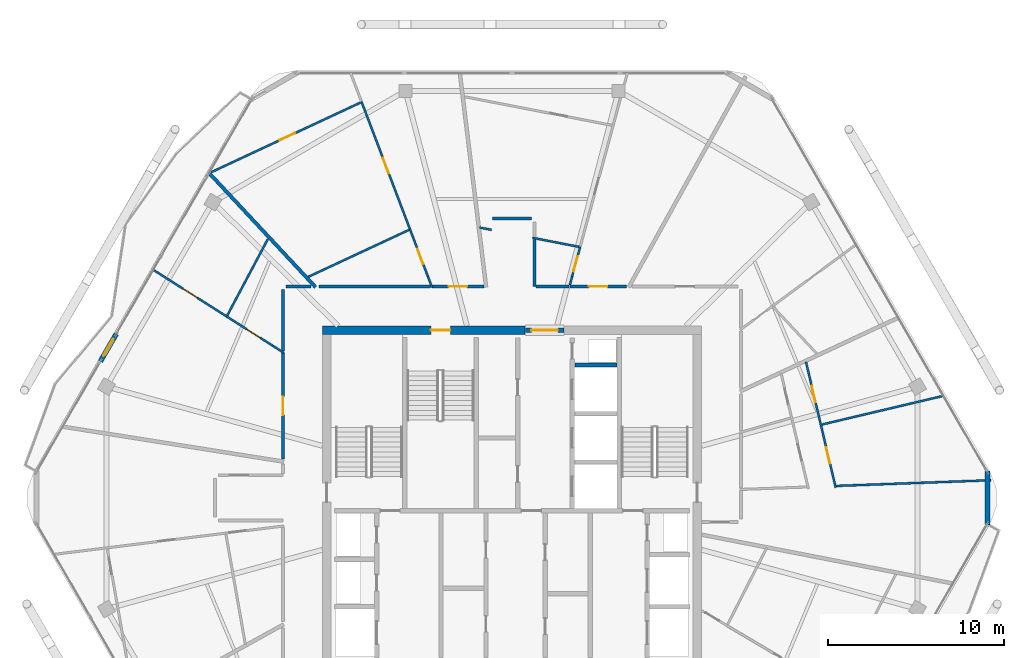
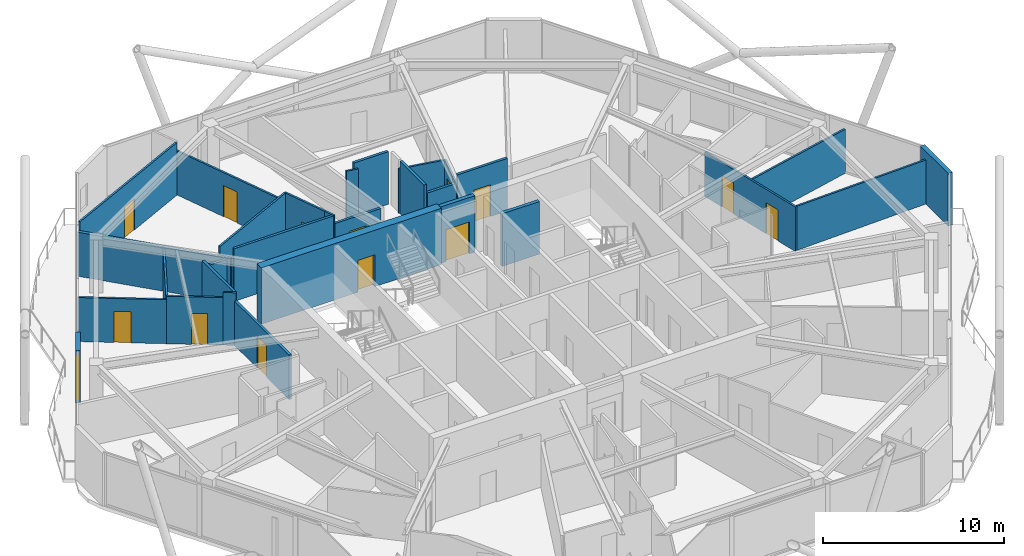
# One storey, part 20 of 24: 31 walls, 14 doors, 14 openings.
"""IFC4 building model written with IfcOpenShell, lengths in metres."""

from ifc_helpers import new_model, si_unit, direction, frame, frame_2d, origin, place, context, subcontext, project, spatial, rectangle, extrude, material, layer, layer_set, type_object, element, fill, save


model = new_model("IFC4")

# Units and contexts
model_context = context("Model", 3, precision=1e-05, world=origin(), true_north=direction((0.0, 1.0)))
body_context = subcontext(model_context, "Body", "Model", "MODEL_VIEW")
ifc_project = project(units=[si_unit("LENGTHUNIT", "METRE"), si_unit("AREAUNIT", "SQUARE_METRE"), si_unit("VOLUMEUNIT", "CUBIC_METRE"), si_unit("PLANEANGLEUNIT", "RADIAN"), si_unit("MASSUNIT", "GRAM", prefix="KILO")], contexts=[model_context])

# Site, building, storey
site_placement = place(None, origin())
site = spatial("IfcSite", under=ifc_project, at=site_placement, CompositionType="ELEMENT")
building_placement = place(site_placement, origin())
building = spatial("IfcBuilding", under=site, at=building_placement, Name="Zuhravey Tower", CompositionType="ELEMENT")
storey_placement = place(building_placement, frame((0.0, 0.0, 338.60009765625)))
storey = spatial("IfcBuildingStorey", under=building, at=storey_placement, Name="L86", CompositionType="ELEMENT", Elevation=338.60009765625)

# Wall, opening, door
ifc_material_1 = material(Name="Concrete C50/60", Category="concrete")
ifc_layer_1 = layer(ifc_material_1, 0.5)
ifc_layer_set_1 = layer_set([ifc_layer_1], Name="Concrete C50/60")
wall_type_1 = type_object("IfcWallType", Name="Core Shear Wall 500", PredefinedType="SHEAR", material=ifc_layer_set_1)
wall_1_placement = place(storey_placement, frame((36.75, 41.5, 0.0), z_axis=(0.0, 0.0, 1.0), x_axis=(-1.0, 0.0, 0.0)))
wall_1 = element("IfcWall", 1, at=wall_1_placement, inside=storey, type_object=wall_type_1, Name="L86 North-West Core Shear Wall CW50", PredefinedType="SHEAR", context=body_context, shape_type="SweptSolid", body=[
    extrude(rectangle(XDim=11.5, YDim=0.5, at=frame_2d((5.75, 0.0))), origin(), (0.0, 0.0, 1.0), 3.7998046875),
])
opening_1_placement = place(wall_1_placement, frame((4.25, 0.0, 0.0)))
opening_1 = element("IfcOpeningElement", 2, at=opening_1_placement, cuts=wall_1, Name="Opening STD1", PredefinedType="OPENING", context=body_context, shape_type="SweptSolid", body=[
    extrude(rectangle(XDim=1.10009765625, YDim=2.14990234375, at=frame_2d((0.550048828125, 1.074951171875))), frame((0.0, 0.261962890625, 0.0), z_axis=(0.0, -1.0, 0.0), x_axis=(1.0, 0.0, 0.0)), (0.0, 0.0, 1.0), 0.52392578125),
])
ifc_material_2 = material(Name="Galvanised fire-rated steel leaf", Category="steel")
door_type_1 = type_object("IfcDoorType", Name="Protected Stair Fire Door 1100x2150", OperationType="NOTDEFINED", PredefinedType="USERDEFINED", material=ifc_material_2)
door_1_placement = place(opening_1_placement, origin())
door_1 = element("IfcDoor", 3, at=door_1_placement, inside=storey, type_object=door_type_1, Name="L86 Stair ST3 Door", ObjectType="EXITDOOR", OperationType="SINGLE_SWING_LEFT", OverallHeight=2.14990234375, OverallWidth=1.10009765625, PredefinedType="USERDEFINED", context=body_context, shape_type="SweptSolid", body=[
    extrude(rectangle(XDim=1.10009765625, YDim=2.14990234375, at=frame_2d((0.550048828125, 1.074951171875))), frame((0.0, 0.02490234375, 0.0), z_axis=(0.0, -1.0, 0.0), x_axis=(1.0, 0.0, 0.0)), (0.0, 0.0, 1.0), 0.050048828125),
])
fill(opening_1, door_1)

ifc_material_3 = material(Name="Gypsum fire-rated stud partition")
ifc_layer_2 = layer(ifc_material_3, 0.159912109375)
ifc_layer_set_2 = layer_set([ifc_layer_2], Name="Gypsum fire-rated stud partition")
wall_type_2 = type_object("IfcWallType", Name="Corridor Fire Partition 160", PredefinedType="PARTITIONING", material=ifc_layer_set_2)
wall_2_placement = place(storey_placement, frame((23.02001953125, 40.226318359375, 0.0), z_axis=(0.0, 0.0, 1.0), x_axis=(0.0, -1.0, 0.0)))
wall_2 = element("IfcWall", 4, at=wall_2_placement, inside=storey, type_object=wall_type_2, Name="L86 IW16 Partition 023", PredefinedType="PARTITIONING", context=body_context, shape_type="SweptSolid", body=[
    extrude(rectangle(XDim=6.033935546875, YDim=0.159912109375, at=frame_2d((3.01708984375, 0.0))), origin(), (0.0, 0.0, 1.0), 3.0),
])
opening_2_placement = place(wall_2_placement, frame((2.491943359375, 0.0, 0.0)))
opening_2 = element("IfcOpeningElement", 5, at=opening_2_placement, cuts=wall_2, Name="Opening APD1", PredefinedType="OPENING", context=body_context, shape_type="SweptSolid", body=[
    extrude(rectangle(XDim=1.050048828125, YDim=2.14990234375, at=frame_2d((0.52490234375, 1.074951171875))), frame((0.0, 0.092041015625, 0.0), z_axis=(0.0, -1.0, 0.0), x_axis=(1.0, 0.0, 0.0)), (0.0, 0.0, 1.0), 0.183837890625),
])
ifc_material_4 = material(Name="Solid-core oak fire-rated leaf")
door_type_2 = type_object("IfcDoorType", Name="Apartment Entrance Fire Door 1050x2150", OperationType="NOTDEFINED", PredefinedType="DOOR", material=ifc_material_4)
door_2_placement = place(opening_2_placement, frame((1.050048828125, 0.0, 0.0), z_axis=(0.0, 0.0, 1.0), x_axis=(-1.0, 0.0, 0.0)))
door_2 = element("IfcDoor", 6, at=door_2_placement, inside=storey, type_object=door_type_2, Name="L86 Door 023.1", OperationType="SINGLE_SWING_LEFT", OverallHeight=2.14990234375, OverallWidth=1.050048828125, PredefinedType="DOOR", context=body_context, shape_type="SweptSolid", body=[
    extrude(rectangle(XDim=1.050048828125, YDim=2.14990234375, at=frame_2d((0.52490234375, 1.074951171875))), frame((0.0, 0.02490234375, 0.0), z_axis=(0.0, -1.0, 0.0), x_axis=(1.0, 0.0, 0.0)), (0.0, 0.0, 1.0), 0.050048828125),
])
fill(opening_2, door_2)

wall_3_placement = place(storey_placement, frame((42.48193359375, 43.97998046875, 0.0), z_axis=(0.0, 0.0, 1.0), x_axis=(-1.0, 0.0, 0.0)))
wall_3 = element("IfcWall", 7, at=wall_3_placement, inside=storey, type_object=wall_type_2, Name="L86 IW16 Partition 054", PredefinedType="PARTITIONING", context=body_context, shape_type="SweptSolid", body=[
    extrude(rectangle(XDim=3.206298828125, YDim=0.159912109375, at=frame_2d((1.60302734375, 0.0))), origin(), (0.0, 0.0, 1.0), 3.5498046875),
])
opening_3_placement = place(wall_3_placement, frame((1.078125, 0.0, 0.0)))
opening_3 = element("IfcOpeningElement", 8, at=opening_3_placement, cuts=wall_3, Name="Opening APD1", PredefinedType="OPENING", context=body_context, shape_type="SweptSolid", body=[
    extrude(rectangle(XDim=1.050048828125, YDim=2.14990234375, at=frame_2d((0.52490234375, 1.074951171875))), frame((0.0, 0.092041015625, 0.0), z_axis=(0.0, -1.0, 0.0), x_axis=(1.0, 0.0, 0.0)), (0.0, 0.0, 1.0), 0.183837890625),
])
door_3_placement = place(opening_3_placement, frame((1.050048828125, 0.0, 0.0), z_axis=(0.0, 0.0, 1.0), x_axis=(-1.0, 0.0, 0.0)))
door_3 = element("IfcDoor", 9, at=door_3_placement, inside=storey, type_object=door_type_2, Name="L86 Door 054.1", OperationType="SINGLE_SWING_LEFT", OverallHeight=2.14990234375, OverallWidth=1.050048828125, PredefinedType="DOOR", context=body_context, shape_type="SweptSolid", body=[
    extrude(rectangle(XDim=1.050048828125, YDim=2.14990234375, at=frame_2d((0.52490234375, 1.074951171875))), frame((0.0, 0.02490234375, 0.0), z_axis=(0.0, -1.0, 0.0), x_axis=(1.0, 0.0, 0.0)), (0.0, 0.0, 1.0), 0.050048828125),
])
fill(opening_3, door_3)

wall_4_placement = place(storey_placement, frame((34.402587890625, 43.97998046875, 0.0), z_axis=(0.0, 0.0, 1.0), x_axis=(-1.0, 0.0, 0.0)))
wall_4 = element("IfcWall", 10, at=wall_4_placement, inside=storey, type_object=wall_type_2, Name="L86 IW16 Partition 058", PredefinedType="PARTITIONING", context=body_context, shape_type="SweptSolid", body=[
    extrude(rectangle(XDim=2.931884765625, YDim=0.159912109375, at=frame_2d((1.4658203125, 0.0))), origin(), (0.0, 0.0, 1.0), 3.0),
])
opening_4_placement = place(wall_4_placement, frame((0.94091796875, 0.0, 0.0)))
opening_4 = element("IfcOpeningElement", 11, at=opening_4_placement, cuts=wall_4, Name="Opening APD1", PredefinedType="OPENING", context=body_context, shape_type="SweptSolid", body=[
    extrude(rectangle(XDim=1.050048828125, YDim=2.14990234375, at=frame_2d((0.52490234375, 1.074951171875))), frame((0.0, 0.092041015625, 0.0), z_axis=(0.0, -1.0, 0.0), x_axis=(1.0, 0.0, 0.0)), (0.0, 0.0, 1.0), 0.183837890625),
])
door_4_placement = place(opening_4_placement, frame((1.050048828125, 0.0, 0.0), z_axis=(0.0, 0.0, 1.0), x_axis=(-1.0, 0.0, 0.0)))
door_4 = element("IfcDoor", 12, at=door_4_placement, inside=storey, type_object=door_type_2, Name="L86 Door 058.1", OperationType="SINGLE_SWING_LEFT", OverallHeight=2.14990234375, OverallWidth=1.050048828125, PredefinedType="DOOR", context=body_context, shape_type="SweptSolid", body=[
    extrude(rectangle(XDim=1.050048828125, YDim=2.14990234375, at=frame_2d((0.52490234375, 1.074951171875))), frame((0.0, 0.02490234375, 0.0), z_axis=(0.0, -1.0, 0.0), x_axis=(1.0, 0.0, 0.0)), (0.0, 0.0, 1.0), 0.050048828125),
])
fill(opening_4, door_4)

# Walls
wall_5_placement = place(storey_placement, frame((23.02001953125, 43.800048828125, 0.0), z_axis=(0.0, 0.0, 1.0), x_axis=(0.0, -1.0, 0.0)))
element("IfcWall", 13, at=wall_5_placement, inside=storey, type_object=wall_type_2, Name="L86 IW16 Partition 104", PredefinedType="PARTITIONING", context=body_context, shape_type="SweptSolid", body=[
    extrude(rectangle(XDim=3.46923828125, YDim=0.159912109375, at=frame_2d((1.734619140625, 0.0))), origin(), (0.0, 0.0, 1.0), 3.5498046875),
])
wall_6_placement = place(storey_placement, frame((24.603759765625, 43.97998046875, 0.0), z_axis=(0.0, 0.0, 1.0), x_axis=(-1.0, 0.0, 0.0)))
element("IfcWall", 14, at=wall_6_placement, inside=storey, type_object=wall_type_2, Name="L86 IW16 Partition 105", PredefinedType="PARTITIONING", context=body_context, shape_type="SweptSolid", body=[
    extrude(rectangle(XDim=1.40380859375, YDim=0.159912109375, at=frame_2d((0.701904296875, 0.0))), origin(), (0.0, 0.0, 1.0), 3.0),
])
wall_7_placement = place(storey_placement, frame((37.280029296875, 43.97998046875, 0.0), z_axis=(0.0, 0.0, 1.0), x_axis=(0.0, 1.0, 0.0)))
element("IfcWall", 15, at=wall_7_placement, inside=storey, type_object=wall_type_2, Name="L86 IW16 Partition 123", PredefinedType="PARTITIONING", context=body_context, shape_type="SweptSolid", body=[
    extrude(rectangle(XDim=2.668212890625, YDim=0.159912109375, at=frame_2d((1.333984375, 0.0))), origin(), (0.0, 0.0, 1.0), 3.5498046875),
])
wall_8_placement = place(storey_placement, frame((39.234130859375, 43.97998046875, 0.0), z_axis=(0.0, 0.0, 1.0), x_axis=(-1.0, 0.0, 0.0)))
element("IfcWall", 16, at=wall_8_placement, inside=storey, type_object=wall_type_2, Name="L86 IW16 Partition 124", PredefinedType="PARTITIONING", context=body_context, shape_type="SweptSolid", body=[
    extrude(rectangle(XDim=1.8662109375, YDim=0.159912109375, at=frame_2d((0.93310546875, 0.0))), origin(), (0.0, 0.0, 1.0), 3.0),
])
wall_9_placement = place(storey_placement, frame((37.10009765625, 47.830078125, 0.0), z_axis=(0.0, 0.0, 1.0), x_axis=(-1.0, 0.0, 0.0)))
element("IfcWall", 17, at=wall_9_placement, inside=storey, type_object=wall_type_2, Name="L86 IW16 Partition 125", PredefinedType="PARTITIONING", context=body_context, shape_type="SweptSolid", body=[
    extrude(rectangle(XDim=2.2001953125, YDim=0.159912109375, at=frame_2d((1.10009765625, 0.0))), origin(), (0.0, 0.0, 1.0), 3.5498046875),
])
wall_10_placement = place(storey_placement, frame((31.37646484375, 43.97998046875, 0.0), z_axis=(0.0, 0.0, 1.0), x_axis=(-1.0, 0.0, 0.0)))
element("IfcWall", 18, at=wall_10_placement, inside=storey, type_object=wall_type_2, Name="L86 IW16 Partition 127", PredefinedType="PARTITIONING", context=body_context, shape_type="SweptSolid", body=[
    extrude(rectangle(XDim=6.326904296875, YDim=0.159912109375, at=frame_2d((3.16357421875, 0.0))), origin(), (0.0, 0.0, 1.0), 3.5498046875),
])

# Wall, opening, door
ifc_material_5 = material(Name="Precast concrete C40/50", Category="concrete")
ifc_layer_3 = layer(ifc_material_5, 0.280029296875)
ifc_layer_set_3 = layer_set([ifc_layer_3], Name="Precast concrete C40/50")
wall_type_3 = type_object("IfcWallType", Name="Crown Architectural Wall 280", PredefinedType="SOLIDWALL", material=ifc_layer_set_3)
wall_11_placement = place(storey_placement, frame((12.6708984375, 39.74072265625, 0.0), z_axis=(0.0, 0.0, 1.0), x_axis=(0.499982180423, 0.866035691677, 0.0)))
wall_11 = element("IfcWall", 19, at=wall_11_placement, inside=storey, type_object=wall_type_3, Name="L86 Face 3 Facade Pier EW28-1", PredefinedType="SOLIDWALL", context=body_context, shape_type="SweptSolid", body=[
    extrude(rectangle(XDim=1.7900390625, YDim=0.280029296875, at=frame_2d((0.89501953125, 0.0))), origin(), (0.0, 0.0, 1.0), 3.5498046875),
])
opening_5_placement = place(wall_11_placement, frame((0.344970703125, 0.0, 0.0)))
opening_5 = element("IfcOpeningElement", 20, at=opening_5_placement, cuts=wall_11, Name="Opening BLD1", PredefinedType="OPENING", context=body_context, shape_type="SweptSolid", body=[
    extrude(rectangle(XDim=1.10009765625, YDim=2.199951171875, at=frame_2d((0.550048828125, 1.10009765625))), frame((0.0, 0.152099609375, 0.0), z_axis=(0.0, -1.0, 0.0), x_axis=(1.0, 0.0, 0.0)), (0.0, 0.0, 1.0), 0.303955078125),
])
ifc_material_6 = material(Name="Thermally broken aluminium and low-E glass", Category="aluminium")
door_type_3 = type_object("IfcDoorType", Name="Balcony & Sky-Tray Glazed Door 1100x2200", OperationType="NOTDEFINED", PredefinedType="DOOR", material=ifc_material_6)
door_5_placement = place(opening_5_placement, frame((1.10009765625, 0.0, 0.0), z_axis=(0.0, 0.0, 1.0), x_axis=(-1.0, 0.0, 0.0)))
door_5 = element("IfcDoor", 21, at=door_5_placement, inside=storey, type_object=door_type_3, Name="L86 Face 3 Wave Balcony Door", OperationType="SINGLE_SWING_RIGHT", OverallHeight=2.199951171875, OverallWidth=1.10009765625, PredefinedType="DOOR", context=body_context, shape_type="SweptSolid", body=[
    extrude(rectangle(XDim=1.10009765625, YDim=2.199951171875, at=frame_2d((0.550048828125, 1.10009765625))), frame((0.0, 0.02490234375, 0.0), z_axis=(0.0, -1.0, 0.0), x_axis=(1.0, 0.0, 0.0)), (0.0, 0.0, 1.0), 0.050048828125),
])
fill(opening_5, door_5)

# Wall
wall_12_placement = place(storey_placement, frame((62.968505859375, 33.532470703125, 0.0), z_axis=(0.0, 0.0, 1.0), x_axis=(0.0, -1.0, 0.0)))
element("IfcWall", 22, at=wall_12_placement, inside=storey, type_object=wall_type_3, Name="L86 Rounded Corner Closure Wall EW28-12", PredefinedType="SOLIDWALL", context=body_context, shape_type="SweptSolid", body=[
    extrude(rectangle(XDim=3.06494140625, YDim=0.280029296875, at=frame_2d((1.532470703125, 0.0))), origin(), (0.0, 0.0, 1.0), 3.5498046875),
])

# Wall, opening, door
ifc_layer_4 = layer(ifc_material_1, 0.25)
ifc_layer_set_4 = layer_set([ifc_layer_4], Name="Concrete C50/60")
wall_type_4 = type_object("IfcWallType", Name="Firefighting Shaft & Stair Wall 250", PredefinedType="SOLIDWALL", material=ifc_layer_set_4)
wall_13_placement = place(storey_placement, frame((36.760009765625, 41.5, 0.0), z_axis=(0.0, 0.0, 1.0), x_axis=(1.0, 0.0, 0.0)))
wall_13 = element("IfcWall", 23, at=wall_13_placement, inside=storey, type_object=wall_type_4, Name="L86 FW25 Shaft Wall 002", PredefinedType="SOLIDWALL", context=body_context, shape_type="SweptSolid", body=[
    extrude(rectangle(XDim=2.179931640625, YDim=0.25, at=frame_2d((1.08984375, 0.0))), origin(), (0.0, 0.0, 1.0), 3.7998046875),
])
opening_6_placement = place(wall_13_placement, frame((0.340087890625, 0.0, 0.0)))
opening_6 = element("IfcOpeningElement", 24, at=opening_6_placement, cuts=wall_13, Name="Opening FFD1", PredefinedType="OPENING", context=body_context, shape_type="SweptSolid", body=[
    extrude(rectangle(XDim=1.5, YDim=2.14990234375, at=frame_2d((0.75, 1.074951171875))), frame((0.0, 0.136962890625, 0.0), z_axis=(0.0, -1.0, 0.0), x_axis=(1.0, 0.0, 0.0)), (0.0, 0.0, 1.0), 0.27392578125),
])
door_type_4 = type_object("IfcDoorType", Name="Firefighting Lobby Double Door 1500x2150", OperationType="DOUBLE_DOOR_SINGLE_SWING", PredefinedType="DOOR", material=ifc_material_2)
door_6_placement = place(opening_6_placement, origin())
door_6 = element("IfcDoor", 25, at=door_6_placement, inside=storey, type_object=door_type_4, Name="L86 North Lift Lobby Exit Door", OperationType="DOUBLE_DOOR_SINGLE_SWING", OverallHeight=2.14990234375, OverallWidth=1.5, PredefinedType="DOOR", context=body_context, shape_type="SweptSolid", body=[
    extrude(rectangle(XDim=1.5, YDim=2.14990234375, at=frame_2d((0.75, 1.074951171875))), frame((0.0, 0.02490234375, 0.0), z_axis=(0.0, -1.0, 0.0), x_axis=(1.0, 0.0, 0.0)), (0.0, 0.0, 1.0), 0.050048828125),
])
fill(opening_6, door_6)

# Walls
ifc_material_7 = material(Name="Gypsum double-stud party assembly")
ifc_layer_5 = layer(ifc_material_7, 0.199951171875)
ifc_layer_set_5 = layer_set([ifc_layer_5], Name="Gypsum double-stud party assembly")
wall_type_5 = type_object("IfcWallType", Name="Inter-Tenancy Party Wall 200", PredefinedType="PARTITIONING", material=ifc_layer_set_5)
wall_14_placement = place(storey_placement, frame((24.86572265625, 43.93994140625, 0.0), z_axis=(0.0, 0.0, 1.0), x_axis=(-0.68199474611, 0.731357071667, 0.0)))
element("IfcWall", 26, at=wall_14_placement, inside=storey, type_object=wall_type_5, Name="L86 IW20 Partition 063", PredefinedType="PARTITIONING", context=body_context, shape_type="SweptSolid", body=[
    extrude(rectangle(XDim=8.84814453125, YDim=0.199951171875, at=frame_2d((4.424072265625, 0.0))), origin(), (0.0, 0.0, 1.0), 2.969970703125),
])
ifc_material_8 = material(Name="Gypsum acoustic stud assembly")
ifc_layer_6 = layer(ifc_material_8, 0.219970703125)
ifc_layer_set_6 = layer_set([ifc_layer_6], Name="Gypsum acoustic stud assembly")
wall_type_6 = type_object("IfcWallType", Name="School Acoustic Compartment Wall 220", PredefinedType="PARTITIONING", material=ifc_layer_set_6)
wall_15_placement = place(storey_placement, frame((39.55810546875, 39.52490234375, 0.0), z_axis=(0.0, 0.0, 1.0), x_axis=(1.0, 0.0, 0.0)))
element("IfcWall", 27, at=wall_15_placement, inside=storey, type_object=wall_type_6, Name="L86 IW22 Partition 062", PredefinedType="PARTITIONING", context=body_context, shape_type="SweptSolid", body=[
    extrude(rectangle(XDim=2.3837890625, YDim=0.219970703125, at=frame_2d((1.19189453125, 0.0))), origin(), (0.0, 0.0, 1.0), 3.5498046875),
])

# Wall, opening, door
ifc_material_9 = material(Name="Gypsum metal-stud partition")
ifc_layer_7 = layer(ifc_material_9, 0.1201171875)
ifc_layer_set_7 = layer_set([ifc_layer_7], Name="Gypsum metal-stud partition")
wall_type_7 = type_object("IfcWallType", Name="Unit Internal Partition 120", PredefinedType="PARTITIONING", material=ifc_layer_set_7)
wall_16_placement = place(storey_placement, frame((22.449951171875, 40.6123046875, 0.0), z_axis=(0.0, 0.0, 1.0), x_axis=(-0.843946894376, 0.536426732624, 0.0)))
wall_16 = element("IfcWall", 28, at=wall_16_placement, inside=storey, type_object=wall_type_7, Name="L86 IW12 Partition 021", PredefinedType="PARTITIONING", context=body_context, shape_type="SweptSolid", body=[
    extrude(rectangle(XDim=3.133544921875, YDim=0.1201171875, at=frame_2d((1.56689453125, 0.0))), origin(), (0.0, 0.0, 1.0), 3.199951171875),
])
opening_7_placement = place(wall_16_placement, frame((0.865966796875, 0.0, 0.0)))
opening_7 = element("IfcOpeningElement", 29, at=opening_7_placement, cuts=wall_16, Name="Opening WCD1", PredefinedType="OPENING", context=body_context, shape_type="SweptSolid", body=[
    extrude(rectangle(XDim=0.89990234375, YDim=2.10009765625, at=frame_2d((0.449951171875, 1.050048828125))), frame((0.0, 0.072021484375, 0.0), z_axis=(0.0, -1.0, 0.0), x_axis=(1.0, 0.0, 0.0)), (0.0, 0.0, 1.0), 0.14404296875),
])
ifc_material_10 = material(Name="Moisture-resistant timber leaf", Category="wood")
door_type_5 = type_object("IfcDoorType", Name="Bathroom & WC Internal Door 900x2100", OperationType="NOTDEFINED", PredefinedType="DOOR", material=ifc_material_10)
door_7_placement = place(opening_7_placement, frame((0.89990234375, 0.0, 0.0), z_axis=(0.0, 0.0, 1.0), x_axis=(-1.0, 0.0, 0.0)))
door_7 = element("IfcDoor", 30, at=door_7_placement, inside=storey, type_object=door_type_5, Name="Apartment L86-01 Bathroom Door", OperationType="SINGLE_SWING_LEFT", OverallHeight=2.10009765625, OverallWidth=0.89990234375, PredefinedType="DOOR", context=body_context, shape_type="SweptSolid", body=[
    extrude(rectangle(XDim=0.89990234375, YDim=2.10009765625, at=frame_2d((0.449951171875, 1.050048828125))), frame((0.0, 0.02490234375, 0.0), z_axis=(0.0, -1.0, 0.0), x_axis=(1.0, 0.0, 0.0)), (0.0, 0.0, 1.0), 0.050048828125),
])
fill(opening_7, door_7)

wall_17_placement = place(storey_placement, frame((19.805419921875, 42.293212890625, 0.0), z_axis=(0.0, 0.0, 1.0), x_axis=(-0.843964252014, 0.536399423306, 0.0)))
wall_17 = element("IfcWall", 31, at=wall_17_placement, inside=storey, type_object=wall_type_7, Name="L86 IW12 Partition 022", PredefinedType="PARTITIONING", context=body_context, shape_type="SweptSolid", body=[
    extrude(rectangle(XDim=4.911865234375, YDim=0.1201171875, at=frame_2d((2.4560546875, 0.0))), origin(), (0.0, 0.0, 1.0), 2.969970703125),
])
opening_8_placement = place(wall_17_placement, frame((1.9560546875, 0.0, 0.0)))
opening_8 = element("IfcOpeningElement", 32, at=opening_8_placement, cuts=wall_17, Name="Opening IND1", PredefinedType="OPENING", context=body_context, shape_type="SweptSolid", body=[
    extrude(rectangle(XDim=0.949951171875, YDim=2.10009765625, at=frame_2d((0.47509765625, 1.050048828125))), frame((0.0, 0.072021484375, 0.0), z_axis=(0.0, -1.0, 0.0), x_axis=(1.0, 0.0, 0.0)), (0.0, 0.0, 1.0), 0.14404296875),
])
ifc_material_11 = material(Name="Painted engineered timber leaf", Category="wood")
door_type_6 = type_object("IfcDoorType", Name="Internal Room & Bedroom Door 950x2100", OperationType="NOTDEFINED", PredefinedType="DOOR", material=ifc_material_11)
door_8_placement = place(opening_8_placement, frame((0.949951171875, 0.0, 0.0), z_axis=(0.0, 0.0, 1.0), x_axis=(-1.0, 0.0, 0.0)))
door_8 = element("IfcDoor", 33, at=door_8_placement, inside=storey, type_object=door_type_6, Name="Apartment L86-01 Bedroom 1 Door", OperationType="SINGLE_SWING_RIGHT", OverallHeight=2.10009765625, OverallWidth=0.949951171875, PredefinedType="DOOR", context=body_context, shape_type="SweptSolid", body=[
    extrude(rectangle(XDim=0.949951171875, YDim=2.10009765625, at=frame_2d((0.47509765625, 1.050048828125))), frame((0.0, 0.02490234375, 0.0), z_axis=(0.0, -1.0, 0.0), x_axis=(1.0, 0.0, 0.0)), (0.0, 0.0, 1.0), 0.050048828125),
])
fill(opening_8, door_8)

# Wall, openings, doors
wall_18_placement = place(storey_placement, frame((54.352294921875, 32.572998046875, 0.0), z_axis=(0.0, 0.0, 1.0), x_axis=(-0.230060446121, 0.97317634123, 0.0)))
wall_18 = element("IfcWall", 34, at=wall_18_placement, inside=storey, type_object=wall_type_7, Name="L86 IW12 Partition 046", PredefinedType="PARTITIONING", context=body_context, shape_type="SweptSolid", body=[
    extrude(rectangle(XDim=7.32861328125, YDim=0.1201171875, at=frame_2d((3.664306640625, 0.0))), origin(), (0.0, 0.0, 1.0), 3.0),
])
opening_9_placement = place(wall_18_placement, frame((1.4072265625, 0.0, 0.0)))
opening_9 = element("IfcOpeningElement", 35, at=opening_9_placement, cuts=wall_18, Name="Opening IND1", PredefinedType="OPENING", context=body_context, shape_type="SweptSolid", body=[
    extrude(rectangle(XDim=0.949951171875, YDim=2.10009765625, at=frame_2d((0.47509765625, 1.050048828125))), frame((0.0, 0.072021484375, 0.0), z_axis=(0.0, -1.0, 0.0), x_axis=(1.0, 0.0, 0.0)), (0.0, 0.0, 1.0), 0.14404296875),
])
opening_10_placement = place(wall_18_placement, frame((4.9716796875, 0.0, 0.0)))
opening_10 = element("IfcOpeningElement", 36, at=opening_10_placement, cuts=wall_18, Name="Opening IND1", PredefinedType="OPENING", context=body_context, shape_type="SweptSolid", body=[
    extrude(rectangle(XDim=0.949951171875, YDim=2.10009765625, at=frame_2d((0.47509765625, 1.050048828125))), frame((0.0, 0.072021484375, 0.0), z_axis=(0.0, -1.0, 0.0), x_axis=(1.0, 0.0, 0.0)), (0.0, 0.0, 1.0), 0.14404296875),
])
door_9_placement = place(opening_9_placement, frame((0.949951171875, 0.0, 0.0), z_axis=(0.0, 0.0, 1.0), x_axis=(-1.0, 0.0, 0.0)))
door_9 = element("IfcDoor", 37, at=door_9_placement, inside=storey, type_object=door_type_6, Name="Apartment L86-07 Bedroom 1 Door", OperationType="SINGLE_SWING_RIGHT", OverallHeight=2.10009765625, OverallWidth=0.949951171875, PredefinedType="DOOR", context=body_context, shape_type="SweptSolid", body=[
    extrude(rectangle(XDim=0.949951171875, YDim=2.10009765625, at=frame_2d((0.47509765625, 1.050048828125))), frame((0.0, 0.02490234375, 0.0), z_axis=(0.0, -1.0, 0.0), x_axis=(1.0, 0.0, 0.0)), (0.0, 0.0, 1.0), 0.050048828125),
])
fill(opening_9, door_9)
door_10_placement = place(opening_10_placement, frame((0.949951171875, 0.0, 0.0), z_axis=(0.0, 0.0, 1.0), x_axis=(-1.0, 0.0, 0.0)))
door_10 = element("IfcDoor", 38, at=door_10_placement, inside=storey, type_object=door_type_6, Name="Apartment L86-07 Bedroom 2 Door", OperationType="SINGLE_SWING_LEFT", OverallHeight=2.10009765625, OverallWidth=0.949951171875, PredefinedType="DOOR", context=body_context, shape_type="SweptSolid", body=[
    extrude(rectangle(XDim=0.949951171875, YDim=2.10009765625, at=frame_2d((0.47509765625, 1.050048828125))), frame((0.0, 0.02490234375, 0.0), z_axis=(0.0, -1.0, 0.0), x_axis=(1.0, 0.0, 0.0)), (0.0, 0.0, 1.0), 0.050048828125),
])
fill(opening_10, door_10)

# Wall, opening, door
wall_19_placement = place(storey_placement, frame((39.409912109375, 44.550048828125, 0.0), z_axis=(0.0, 0.0, 1.0), x_axis=(0.262173284377, 0.965020812708, 0.0)))
wall_19 = element("IfcWall", 39, at=wall_19_placement, inside=storey, type_object=wall_type_7, Name="L86 IW12 Partition 051", PredefinedType="PARTITIONING", context=body_context, shape_type="SweptSolid", body=[
    extrude(rectangle(XDim=1.750732421875, YDim=0.1201171875, at=frame_2d((0.87548828125, 0.0))), origin(), (0.0, 0.0, 1.0), 3.0),
])
opening_11_placement = place(wall_19_placement, frame((0.285400390625, 0.0, 0.0)))
opening_11 = element("IfcOpeningElement", 40, at=opening_11_placement, cuts=wall_19, Name="Opening WCD1", PredefinedType="OPENING", context=body_context, shape_type="SweptSolid", body=[
    extrude(rectangle(XDim=0.89990234375, YDim=2.10009765625, at=frame_2d((0.449951171875, 1.050048828125))), frame((0.0, 0.072021484375, 0.0), z_axis=(0.0, -1.0, 0.0), x_axis=(1.0, 0.0, 0.0)), (0.0, 0.0, 1.0), 0.14404296875),
])
door_11_placement = place(opening_11_placement, origin())
door_11 = element("IfcDoor", 41, at=door_11_placement, inside=storey, type_object=door_type_5, Name="Apartment L86-09 Bathroom Door", OperationType="SINGLE_SWING_RIGHT", OverallHeight=2.10009765625, OverallWidth=0.89990234375, PredefinedType="DOOR", context=body_context, shape_type="SweptSolid", body=[
    extrude(rectangle(XDim=0.89990234375, YDim=2.10009765625, at=frame_2d((0.449951171875, 1.050048828125))), frame((0.0, 0.02490234375, 0.0), z_axis=(0.0, -1.0, 0.0), x_axis=(1.0, 0.0, 0.0)), (0.0, 0.0, 1.0), 0.050048828125),
])
fill(opening_11, door_11)

wall_20_placement = place(storey_placement, frame((31.232666015625, 44.550048828125, 0.0), z_axis=(0.0, 0.0, 1.0), x_axis=(-0.355127317652, 0.934817943911, 0.0)))
wall_20 = element("IfcWall", 42, at=wall_20_placement, inside=storey, type_object=wall_type_7, Name="L86 IW12 Partition 055", PredefinedType="PARTITIONING", context=body_context, shape_type="SweptSolid", body=[
    extrude(rectangle(XDim=2.877685546875, YDim=0.1201171875, at=frame_2d((1.43896484375, 0.0))), origin(), (0.0, 0.0, 1.0), 3.5498046875),
])
opening_12_placement = place(wall_20_placement, frame((0.7587890625, 0.0, 0.0)))
opening_12 = element("IfcOpeningElement", 43, at=opening_12_placement, cuts=wall_20, Name="Opening WCD1", PredefinedType="OPENING", context=body_context, shape_type="SweptSolid", body=[
    extrude(rectangle(XDim=0.89990234375, YDim=2.10009765625, at=frame_2d((0.449951171875, 1.050048828125))), frame((0.0, 0.072021484375, 0.0), z_axis=(0.0, -1.0, 0.0), x_axis=(1.0, 0.0, 0.0)), (0.0, 0.0, 1.0), 0.14404296875),
])
door_12_placement = place(opening_12_placement, origin())
door_12 = element("IfcDoor", 44, at=door_12_placement, inside=storey, type_object=door_type_5, Name="Apartment L86-10 Bathroom Door", OperationType="SINGLE_SWING_RIGHT", OverallHeight=2.10009765625, OverallWidth=0.89990234375, PredefinedType="DOOR", context=body_context, shape_type="SweptSolid", body=[
    extrude(rectangle(XDim=0.89990234375, YDim=2.10009765625, at=frame_2d((0.449951171875, 1.050048828125))), frame((0.0, 0.02490234375, 0.0), z_axis=(0.0, -1.0, 0.0), x_axis=(1.0, 0.0, 0.0)), (0.0, 0.0, 1.0), 0.050048828125),
])
fill(opening_12, door_12)

wall_21_placement = place(storey_placement, frame((30.210693359375, 47.240234375, 0.0), z_axis=(0.0, 0.0, 1.0), x_axis=(-0.355107814632, 0.934825352666, 0.0)))
wall_21 = element("IfcWall", 45, at=wall_21_placement, inside=storey, type_object=wall_type_7, Name="L86 IW12 Partition 056", PredefinedType="PARTITIONING", context=body_context, shape_type="SweptSolid", body=[
    extrude(rectangle(XDim=7.722900390625, YDim=0.1201171875, at=frame_2d((3.861328125, 0.0))), origin(), (0.0, 0.0, 1.0), 2.969970703125),
])
opening_13_placement = place(wall_21_placement, frame((3.361328125, 0.0, 0.0)))
opening_13 = element("IfcOpeningElement", 46, at=opening_13_placement, cuts=wall_21, Name="Opening IND1", PredefinedType="OPENING", context=body_context, shape_type="SweptSolid", body=[
    extrude(rectangle(XDim=0.949951171875, YDim=2.10009765625, at=frame_2d((0.47509765625, 1.050048828125))), frame((0.0, 0.072021484375, 0.0), z_axis=(0.0, -1.0, 0.0), x_axis=(1.0, 0.0, 0.0)), (0.0, 0.0, 1.0), 0.14404296875),
])
door_13_placement = place(opening_13_placement, origin())
door_13 = element("IfcDoor", 47, at=door_13_placement, inside=storey, type_object=door_type_6, Name="Apartment L86-10 Home Office Door", OperationType="SINGLE_SWING_LEFT", OverallHeight=2.10009765625, OverallWidth=0.949951171875, PredefinedType="DOOR", context=body_context, shape_type="SweptSolid", body=[
    extrude(rectangle(XDim=0.949951171875, YDim=2.10009765625, at=frame_2d((0.47509765625, 1.050048828125))), frame((0.0, 0.02490234375, 0.0), z_axis=(0.0, -1.0, 0.0), x_axis=(1.0, 0.0, 0.0)), (0.0, 0.0, 1.0), 0.050048828125),
])
fill(opening_13, door_13)

wall_22_placement = place(storey_placement, frame((27.415283203125, 54.40771484375, 0.0), z_axis=(0.0, 0.0, 1.0), x_axis=(-0.906299284586, -0.422636494825, 0.0)))
wall_22 = element("IfcWall", 48, at=wall_22_placement, inside=storey, type_object=wall_type_7, Name="L86 IW12 Partition 057", PredefinedType="PARTITIONING", context=body_context, shape_type="SweptSolid", body=[
    extrude(rectangle(XDim=9.34130859375, YDim=0.1201171875, at=frame_2d((4.670654296875, 0.0))), origin(), (0.0, 0.0, 1.0), 3.5498046875),
])
opening_14_placement = place(wall_22_placement, frame((4.111572265625, 0.0, 0.0)))
opening_14 = element("IfcOpeningElement", 49, at=opening_14_placement, cuts=wall_22, Name="Opening IND1", PredefinedType="OPENING", context=body_context, shape_type="SweptSolid", body=[
    extrude(rectangle(XDim=0.949951171875, YDim=2.10009765625, at=frame_2d((0.47509765625, 1.050048828125))), frame((0.0, 0.072021484375, 0.0), z_axis=(0.0, -1.0, 0.0), x_axis=(1.0, 0.0, 0.0)), (0.0, 0.0, 1.0), 0.14404296875),
])
door_14_placement = place(opening_14_placement, frame((0.949951171875, 0.0, 0.0), z_axis=(0.0, 0.0, 1.0), x_axis=(-1.0, 0.0, 0.0)))
door_14 = element("IfcDoor", 50, at=door_14_placement, inside=storey, type_object=door_type_6, Name="Apartment L86-10 Bedroom 1 Door", OperationType="SINGLE_SWING_RIGHT", OverallHeight=2.10009765625, OverallWidth=0.949951171875, PredefinedType="DOOR", context=body_context, shape_type="SweptSolid", body=[
    extrude(rectangle(XDim=0.949951171875, YDim=2.10009765625, at=frame_2d((0.47509765625, 1.050048828125))), frame((0.0, 0.02490234375, 0.0), z_axis=(0.0, -1.0, 0.0), x_axis=(1.0, 0.0, 0.0)), (0.0, 0.0, 1.0), 0.050048828125),
])
fill(opening_14, door_14)

# Walls
wall_23_placement = place(storey_placement, frame((23.057373046875, 40.226318359375, 0.0), z_axis=(0.0, 0.0, 1.0), x_axis=(-0.844010519213, 0.536326620127, 0.0)))
element("IfcWall", 51, at=wall_23_placement, inside=storey, type_object=wall_type_7, Name="L86 IW12 Partition 064", PredefinedType="PARTITIONING", context=body_context, shape_type="SweptSolid", body=[
    extrude(rectangle(XDim=0.7197265625, YDim=0.1201171875, at=frame_2d((0.35986328125, 0.0))), origin(), (0.0, 0.0, 1.0), 3.5498046875),
])
wall_24_placement = place(storey_placement, frame((22.165283203125, 46.677734375, 0.0), z_axis=(0.0, 0.0, 1.0), x_axis=(-0.469514895951, -0.882924550842, 0.0)))
element("IfcWall", 52, at=wall_24_placement, inside=storey, type_object=wall_type_7, Name="L86 IW12 Partition 065", PredefinedType="PARTITIONING", context=body_context, shape_type="SweptSolid", body=[
    extrude(rectangle(XDim=4.912841796875, YDim=0.1201171875, at=frame_2d((2.45654296875, 0.0))), origin(), (0.0, 0.0, 1.0), 3.0),
])
wall_25_placement = place(storey_placement, frame((53.575439453125, 36.154541015625, 0.0), z_axis=(0.0, 0.0, 1.0), x_axis=(0.973178020357, 0.23005334315, 0.0)))
element("IfcWall", 53, at=wall_25_placement, inside=storey, type_object=wall_type_7, Name="L86 IW12 Partition 088", PredefinedType="PARTITIONING", context=body_context, shape_type="SweptSolid", body=[
    extrude(rectangle(XDim=7.084716796875, YDim=0.1201171875, at=frame_2d((3.54248046875, 0.0))), origin(), (0.0, 0.0, 1.0), 2.969970703125),
])
wall_26_placement = place(storey_placement, frame((54.39794921875, 32.6748046875, 0.0), z_axis=(0.0, 0.0, 1.0), x_axis=(0.999328863412, 0.036630898874, 0.0)))
element("IfcWall", 54, at=wall_26_placement, inside=storey, type_object=wall_type_7, Name="L86 IW12 Partition 090", PredefinedType="PARTITIONING", context=body_context, shape_type="SweptSolid", body=[
    extrude(rectangle(XDim=8.7509765625, YDim=0.1201171875, at=frame_2d((4.37548828125, 0.0))), origin(), (0.0, 0.0, 1.0), 2.969970703125),
])
wall_27_placement = place(storey_placement, frame((39.27880859375, 44.068115234375, 0.0), z_axis=(0.0, 0.0, 1.0), x_axis=(0.262496924618, 0.964932829044, 0.0)))
element("IfcWall", 55, at=wall_27_placement, inside=storey, type_object=wall_type_7, Name="L86 IW12 Partition 095", PredefinedType="PARTITIONING", context=body_context, shape_type="SweptSolid", body=[
    extrude(rectangle(XDim=0.49951171875, YDim=0.1201171875, at=frame_2d((0.249755859375, 0.0))), origin(), (0.0, 0.0, 1.0), 3.0),
])
wall_28_placement = place(storey_placement, frame((39.79541015625, 46.228515625, 0.0), z_axis=(0.0, 0.0, 1.0), x_axis=(-0.981632896255, 0.190779603181, 0.0)))
element("IfcWall", 56, at=wall_28_placement, inside=storey, type_object=wall_type_7, Name="L86 IW12 Partition 098", PredefinedType="PARTITIONING", context=body_context, shape_type="SweptSolid", body=[
    extrude(rectangle(XDim=2.684814453125, YDim=0.1201171875, at=frame_2d((1.34228515625, 0.0))), origin(), (0.0, 0.0, 1.0), 3.0),
])
wall_29_placement = place(storey_placement, frame((34.840087890625, 47.191650390625, 0.0), z_axis=(0.0, 0.0, 1.0), x_axis=(-0.981613573496, 0.190878999183, 0.0)))
element("IfcWall", 57, at=wall_29_placement, inside=storey, type_object=wall_type_7, Name="L86 IW12 Partition 099", PredefinedType="PARTITIONING", context=body_context, shape_type="SweptSolid", body=[
    extrude(rectangle(XDim=0.69970703125, YDim=0.1201171875, at=frame_2d((0.349853515625, 0.0))), origin(), (0.0, 0.0, 1.0), 3.5498046875),
])
wall_30_placement = place(storey_placement, frame((31.4658203125, 43.9365234375, 0.0), z_axis=(0.0, 0.0, 1.0), x_axis=(-0.355237262968, 0.934776169465, 0.0)))
element("IfcWall", 58, at=wall_30_placement, inside=storey, type_object=wall_type_7, Name="L86 IW12 Partition 101", PredefinedType="PARTITIONING", context=body_context, shape_type="SweptSolid", body=[
    extrude(rectangle(XDim=0.65625, YDim=0.1201171875, at=frame_2d((0.328125, 0.0))), origin(), (0.0, 0.0, 1.0), 3.5498046875),
])
wall_31_placement = place(storey_placement, frame((30.157958984375, 47.18798828125, 0.0), z_axis=(0.0, 0.0, 1.0), x_axis=(-0.906327969047, -0.422574978582, 0.0)))
element("IfcWall", 59, at=wall_31_placement, inside=storey, type_object=wall_type_7, Name="L86 IW12 Partition 103", PredefinedType="PARTITIONING", context=body_context, shape_type="SweptSolid", body=[
    extrude(rectangle(XDim=6.285400390625, YDim=0.1201171875, at=frame_2d((3.142578125, 0.0))), origin(), (0.0, 0.0, 1.0), 3.5498046875),
])

save(model, "model.ifc")
